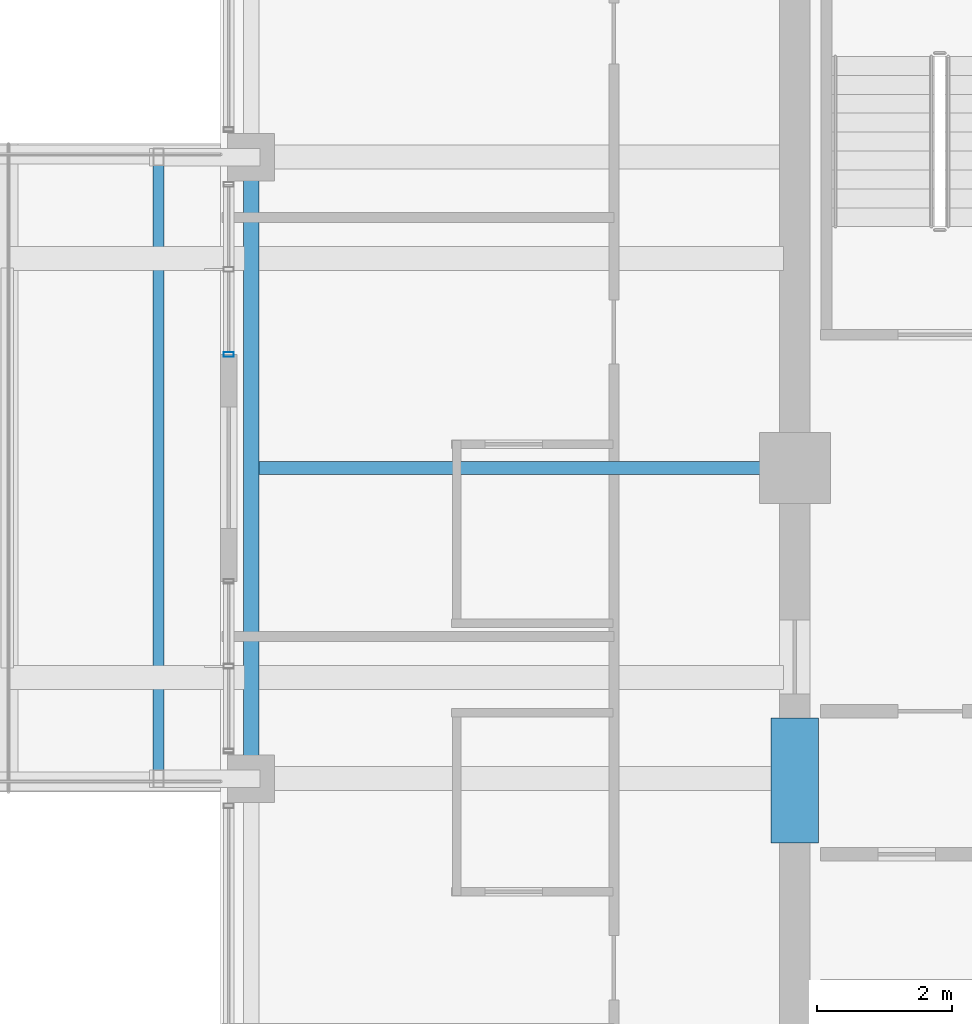
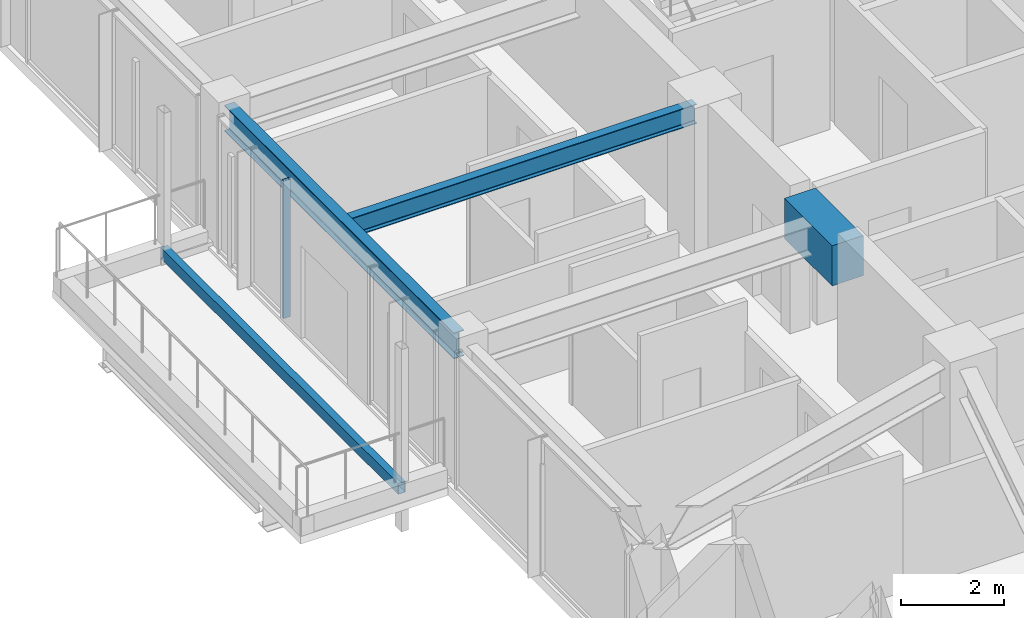
# One storey, part 8 of 34: 3 beams, 2 members, 1 element without a shape of its own.
"""IFC4 building model written with IfcOpenShell, lengths in metres."""

import ifcopenshell
import ifcopenshell.guid

model = None  # the IFC model being written
_history = None  # IfcOwnerHistory: only IFC2X3 demands one
_inside = {}  # id of a spatial element -> (the spatial element, [elements in it])
_under = {}  # id of a project, library or spatial element -> (it, [spatial elements below it])
_declared = {}  # id of a project -> (the project, [libraries it declares])
_typed = {}  # id of a type object -> (the type object, [elements of that type])
_made_of = {}  # id of a material, layer set ... -> (it, [elements and type objects made of it])


def new_model(schema):
    """Start an empty IFC model of exactly this schema.

    Asked for "IFC4X3", IfcOpenShell would pick the latest addendum, in which some entities
    have other attributes; the version numbers below select the first issue.
    IFC2X3 requires an IfcOwnerHistory on every rooted entity: one is made here for all.
    """
    global model, _history
    if schema == "IFC4X3":
        model = ifcopenshell.file(schema_version=(4, 3, 0, 0))
    else:
        model = ifcopenshell.file(schema=schema)
    _inside.clear()
    _under.clear()
    _declared.clear()
    _typed.clear()
    _made_of.clear()
    _history = None
    if model.schema == "IFC2X3":
        org = make("IfcOrganization", Name="unknown")
        user = make(
            "IfcPersonAndOrganization",
            ThePerson=make("IfcPerson", FamilyName="unknown"),
            TheOrganization=org,
        )
        app = make(
            "IfcApplication",
            ApplicationDeveloper=org,
            Version="unknown",
            ApplicationFullName="unknown",
            ApplicationIdentifier="unknown",
        )
        _history = make(
            "IfcOwnerHistory",
            OwningUser=user,
            OwningApplication=app,
            ChangeAction="ADDED",
            CreationDate=0,
        )
    return model


def make(cls, **values):
    """One entity of the class cls with the attributes given. An attribute that is None is left unset."""
    return model.create_entity(
        cls, **{name: value for name, value in values.items() if value is not None}
    )


def rooted(cls, **values):
    """An entity with a GlobalId (a new one), such as an element, a storey or a relation."""
    return make(cls, GlobalId=ifcopenshell.guid.new(), OwnerHistory=_history, **values)


def si_unit(unit_type, name, prefix=None):
    """IfcSIUnit, for example si_unit("LENGTHUNIT", "METRE", prefix="MILLI")."""
    return make("IfcSIUnit", UnitType=unit_type, Prefix=prefix, Name=name)


def assignment(units):
    """IfcUnitAssignment: the units of a project."""
    return None if units is None else make("IfcUnitAssignment", Units=units)


def point(xyz):
    """IfcCartesianPoint."""
    return None if xyz is None else make("IfcCartesianPoint", Coordinates=xyz)


def direction(xyz):
    """IfcDirection."""
    return None if xyz is None else make("IfcDirection", DirectionRatios=xyz)


def frame(location, z_axis=None, x_axis=None):
    """IfcAxis2Placement3D, a coordinate frame: its origin and axes. An axis left out is left unset."""
    return make(
        "IfcAxis2Placement3D",
        Location=point(location),
        Axis=direction(z_axis),
        RefDirection=direction(x_axis),
    )


def frame_2d(location, x_axis=None):
    """IfcAxis2Placement2D, a coordinate frame in the plane: its origin and x axis."""
    return make(
        "IfcAxis2Placement2D", Location=point(location), RefDirection=direction(x_axis)
    )


def origin():
    """The frame at (0, 0, 0) with its axes left unset."""
    return frame((0.0, 0.0, 0.0))


def origin_2d():
    """The frame at (0, 0) in the plane with its x axis left unset."""
    return frame_2d((0.0, 0.0))


def place(relative_to, where):
    """IfcLocalPlacement: puts the frame where relative to a parent placement (None: the world)."""
    return make(
        "IfcLocalPlacement", PlacementRelTo=relative_to, RelativePlacement=where
    )


def context(
    kind, dimensions, precision=None, world=None, true_north=None, identifier=None
):
    """IfcGeometricRepresentationContext, for example the 3D "Model" context."""
    return make(
        "IfcGeometricRepresentationContext",
        ContextIdentifier=identifier,
        ContextType=kind,
        CoordinateSpaceDimension=dimensions,
        Precision=precision,
        WorldCoordinateSystem=world,
        TrueNorth=true_north,
    )


def subcontext(parent, identifier, kind, view, scale=None):
    """IfcGeometricRepresentationSubContext, for example "Body" below "Model"."""
    return make(
        "IfcGeometricRepresentationSubContext",
        ContextIdentifier=identifier,
        ContextType=kind,
        ParentContext=parent,
        TargetScale=scale,
        TargetView=view,
    )


def project(units=None, contexts=None):
    """IfcProject with its units and contexts."""
    return rooted(
        "IfcProject",
        Name="project",
        RepresentationContexts=contexts,
        UnitsInContext=assignment(units),
    )


def spatial(cls, under=None, at=None, **own):
    """A site, building, storey or space (cls), placed at a placement, below another one or the project."""
    s = rooted(cls, ObjectPlacement=at, **own)
    if under is not None:
        _under.setdefault(under.id(), (under, []))[1].append(s)
    return s


def profile(cls, at=None, kind="AREA", **sizes):
    """A parametric profile (cls). Its sizes go by their IFC names, for example OverallWidth=200.0."""
    return make(cls, ProfileType=kind, Position=at, **sizes)


def rectangle(**sizes):
    """IfcRectangleProfileDef."""
    return profile("IfcRectangleProfileDef", **sizes)


def hollow_rectangle(**sizes):
    """IfcRectangleHollowProfileDef."""
    return profile("IfcRectangleHollowProfileDef", **sizes)


def i_section(**sizes):
    """IfcIShapeProfileDef."""
    return profile("IfcIShapeProfileDef", **sizes)


def extrude(swept, where, along, depth):
    """IfcExtrudedAreaSolid: the profile swept, set in the frame where, extruded along a direction by depth."""
    return make(
        "IfcExtrudedAreaSolid",
        SweptArea=swept,
        Position=where,
        ExtrudedDirection=direction(along),
        Depth=depth,
    )


def shape(context_of_items, identifier, shape_type, items):
    """IfcShapeRepresentation: the items that make up one representation, for example the "Body"."""
    return make(
        "IfcShapeRepresentation",
        ContextOfItems=context_of_items,
        RepresentationIdentifier=identifier,
        RepresentationType=shape_type,
        Items=items,
    )


def material(Name=None, Category=None):
    """IfcMaterial."""
    return make("IfcMaterial", Name=Name, Category=Category)


def material_profile(
    of_material, cross_section, Name=None, Category=None, Priority=None
):
    """IfcMaterialProfile: a cross section and its material."""
    return make(
        "IfcMaterialProfile",
        Name=Name,
        Material=of_material,
        Profile=cross_section,
        Priority=Priority,
        Category=Category,
    )


def profile_set(profiles, Name=None, composite=None):
    """IfcMaterialProfileSet."""
    return make(
        "IfcMaterialProfileSet",
        Name=Name,
        MaterialProfiles=profiles,
        CompositeProfile=composite,
    )


def made_of(thing, what):
    """Note that an element or type object is made of a material, layer set ...; save() writes the relation."""
    if what is not None:
        _made_of.setdefault(what.id(), (what, []))[1].append(thing)
    return thing


def type_object(cls, material=None, **own):
    """A type object (cls), such as IfcWallType, which elements share."""
    return made_of(rooted(cls, **own), material)


def element(
    cls,
    number,
    at=None,
    inside=None,
    cuts=None,
    type_object=None,
    material=None,
    context=None,
    identifier="Body",
    shape_type=None,
    held_by="IfcProductDefinitionShape",
    body=None,
    shapes=None,
    **own,
):
    """One element of the class cls, such as IfcWall. Its Tag is "e" and its number.

    at: its placement. inside: the storey or other place that contains it. cuts: it is an
    opening in that element (IfcRelVoidsElement). A single representation is given by context,
    identifier, shape_type and body (its items); several are given by shapes. held_by: the class
    of the entity that holds the representations. save() writes the other relations.
    """
    e = rooted(cls, Tag="e%d" % number, ObjectPlacement=at, **own)
    if body is not None:
        shapes = [shape(context, identifier, shape_type, body)]
    if shapes is not None:
        e.Representation = make(held_by, Representations=shapes)
    if inside is not None:
        _inside.setdefault(inside.id(), (inside, []))[1].append(e)
    if cuts is not None:
        rooted(
            "IfcRelVoidsElement", RelatingBuildingElement=cuts, RelatedOpeningElement=e
        )
    if type_object is not None:
        _typed.setdefault(type_object.id(), (type_object, []))[1].append(e)
    return made_of(e, material)


def aggregate(whole, parts):
    """IfcRelAggregates: a whole, such as a stair, and the parts it consists of."""
    return rooted("IfcRelAggregates", RelatingObject=whole, RelatedObjects=parts)


def save(model, path):
    """Write the relations noted so far, then the file.

    IfcRelAggregates (storeys below a building ...), IfcRelContainedInSpatialStructure (elements
    in a storey), IfcRelDefinesByType, IfcRelAssociatesMaterial and IfcRelDeclares: one each for
    every whole, place, type object, material and project.
    """
    for whole, parts in _under.values():
        aggregate(whole, parts)
    for where, things in _inside.values():
        rooted(
            "IfcRelContainedInSpatialStructure",
            RelatedElements=things,
            RelatingStructure=where,
        )
    for kind, things in _typed.values():
        rooted("IfcRelDefinesByType", RelatedObjects=things, RelatingType=kind)
    for what, things in _made_of.values():
        rooted("IfcRelAssociatesMaterial", RelatedObjects=things, RelatingMaterial=what)
    for by, libraries in _declared.values():
        rooted("IfcRelDeclares", RelatingContext=by, RelatedDefinitions=libraries)
    model.write(path)


model = new_model("IFC4")

# Units and contexts
model_context = context("Model", 3, precision=1e-05, world=origin(), true_north=direction((0.0, 1.0)))
body_context = subcontext(model_context, "Body", "Model", "MODEL_VIEW")
ifc_project = project(units=[si_unit("LENGTHUNIT", "METRE"), si_unit("AREAUNIT", "SQUARE_METRE"), si_unit("VOLUMEUNIT", "CUBIC_METRE"), si_unit("PLANEANGLEUNIT", "RADIAN"), si_unit("MASSUNIT", "GRAM", prefix="KILO")], contexts=[model_context])

# Site, building, storey
site_placement = place(None, origin())
site = spatial("IfcSite", under=ifc_project, at=site_placement, CompositionType="ELEMENT")
building_placement = place(site_placement, origin())
building = spatial("IfcBuilding", under=site, at=building_placement, Name="Kolvaren Belvedere", CompositionType="ELEMENT")
storey_placement = place(building_placement, frame((0.0, 0.0, 240.89990234375)))
storey = spatial("IfcBuildingStorey", under=building, at=storey_placement, Name="L70", CompositionType="ELEMENT", Elevation=240.89990234375)

# Beams
ifc_material_1 = material(Name="Structural steel ASTM A992 Grade 50", Category="steel")
ifc_material_profile_1 = material_profile(ifc_material_1, i_section(OverallWidth=0.19091796875, OverallDepth=0.4599609375, WebThickness=0.010009765625, FlangeThickness=0.01611328125, FilletRadius=0.014892578125, at=origin_2d()), Name="W18X55")
ifc_profile_set_1 = profile_set([ifc_material_profile_1], Name="Structural steel ASTM A992 Grade 50")
beam_type_1 = type_object("IfcBeamType", Name="BM-JOIST-W18X55", PredefinedType="BEAM", material=ifc_profile_set_1)
beam_1_placement = place(storey_placement, frame((-10.125, 0.0, 3.02001953125), z_axis=(-1.0, 0.0, 0.0), x_axis=(0.0, -1.0, 0.0)))
element("IfcBeam", 1, at=beam_1_placement, inside=storey, type_object=beam_type_1, Name="L70 West Centre Floor Beam", PredefinedType="BEAM", context=body_context, shape_type="SweptSolid", body=[
    extrude(i_section(OverallWidth=0.19091796875, OverallDepth=0.4599609375, WebThickness=0.010009765625, FlangeThickness=0.01611328125, FilletRadius=0.014892578125, at=origin_2d()), origin(), (0.0, 0.0, 1.0), 7.71044921875),
])
ifc_material_2 = material(Name="Concrete C60/75", Category="concrete")
ifc_material_profile_2 = material_profile(ifc_material_2, rectangle(XDim=0.699951171875, YDim=0.949951171875, at=origin_2d()), Name="RC 700X950")
ifc_profile_set_2 = profile_set([ifc_material_profile_2], Name="Concrete C60/75")
beam_type_2 = type_object("IfcBeamType", Name="BM-LINT-950", PredefinedType="LINTEL", material=ifc_profile_set_2)
beam_2_placement = place(storey_placement, frame((-9.89990234375, -5.550048828125, 2.775146484375), z_axis=(0.0, 1.0, 0.0), x_axis=(-1.0, 0.0, 0.0)))
element("IfcBeam", 2, at=beam_2_placement, inside=storey, type_object=beam_type_2, Name="L70 West Core Coupling Lintel", PredefinedType="LINTEL", context=body_context, shape_type="SweptSolid", body=[
    extrude(rectangle(XDim=0.699951171875, YDim=0.949951171875, at=origin_2d()), origin(), (0.0, 0.0, 1.0), 1.85009765625),
])
ifc_material_3 = material(Name="Structural steel ASTM A992 Grade 50", Category="steel")
ifc_material_profile_3 = material_profile(ifc_material_3, i_section(OverallWidth=0.22900390625, OverallDepth=0.612060546875, WebThickness=0.011962890625, FlangeThickness=0.01953125, FilletRadius=0.01806640625, at=origin_2d()), Name="W24X84")
ifc_profile_set_3 = profile_set([ifc_material_profile_3], Name="Structural steel ASTM A992 Grade 50")
beam_type_3 = type_object("IfcBeamType", Name="BM-SPAN-W24X84", PredefinedType="SPANDREL", material=ifc_profile_set_3)
beam_3_placement = place(storey_placement, frame((-17.949951171875, 4.4423828125, 2.944091796875), z_axis=(0.0, -1.0, 0.0), x_axis=(1.0, 0.0, 0.0)))
element("IfcBeam", 3, at=beam_3_placement, inside=storey, type_object=beam_type_3, Name="L70 Perimeter Spandrel W3-W2", PredefinedType="SPANDREL", context=body_context, shape_type="SweptSolid", body=[
    extrude(i_section(OverallWidth=0.22900390625, OverallDepth=0.612060546875, WebThickness=0.011962890625, FlangeThickness=0.01953125, FilletRadius=0.01806640625, at=origin_2d()), origin(), (0.0, 0.0, 1.0), 8.884765625),
])

# Curtain wall, member
ifc_material_4 = material(Name="Anodised pale-metal aluminium AA 6063-T6", Category="aluminium")
curtain_wall_type = type_object("IfcCurtainWallType", Name="CW-Z5-HIGH", PredefinedType="NOTDEFINED", material=ifc_material_4)
curtain_wall_placement = place(storey_placement, origin())
curtain_wall = element("IfcCurtainWall", 4, at=curtain_wall_placement, inside=storey, type_object=curtain_wall_type, Name="L70 Unitised Curtain Wall FCW-L70-W2-B1", PredefinedType="NOTDEFINED")
ifc_material_5 = material(Name="Anodised pale-metal aluminium AA 6063-T6", Category="aluminium")
ifc_material_profile_4 = material_profile(ifc_material_5, hollow_rectangle(XDim=0.070068359375, YDim=0.14990234375, WallThickness=0.004150390625, at=origin_2d()), Name="ALU-MUL-150X70")
ifc_profile_set_4 = profile_set([ifc_material_profile_4], Name="Anodised pale-metal aluminium AA 6063-T6")
member_type_1 = type_object("IfcMemberType", Name="CW-MUL-150", PredefinedType="MULLION", material=ifc_profile_set_4)
member_1_placement = place(storey_placement, frame((-18.280029296875, 1.679931640625, 0.0), z_axis=(0.0, 0.0, 1.0), x_axis=(0.0, 1.0, 0.0)))
member_1 = element("IfcMember", 5, at=member_1_placement, type_object=member_type_1, Name="FCW-L70-W2-B1 Unitised Mullion 1", PredefinedType="MULLION", context=body_context, shape_type="SweptSolid", body=[
    extrude(hollow_rectangle(XDim=0.070068359375, YDim=0.14990234375, WallThickness=0.004150390625, at=origin_2d()), origin(), (0.0, 0.0, 1.0), 3.25),
])
aggregate(curtain_wall, [member_1])

# Member
ifc_material_6 = material(Name="Anodised pale-metal aluminium AA 6063-T6", Category="aluminium")
ifc_material_profile_5 = material_profile(ifc_material_6, hollow_rectangle(XDim=0.159912109375, YDim=0.260009765625, WallThickness=0.006591796875, at=origin_2d()), Name="ALU-PF-260X160")
ifc_profile_set_5 = profile_set([ifc_material_profile_5], Name="Anodised pale-metal aluminium AA 6063-T6")
member_type_2 = type_object("IfcMemberType", Name="PF-FRAME-260", PredefinedType="USERDEFINED", material=ifc_profile_set_5)
member_2_placement = place(storey_placement, frame((-19.320068359375, -4.60009765625, 0.130126953125), z_axis=(0.0, 1.0, 0.0), x_axis=(-1.0, 0.0, 0.0)))
element("IfcMember", 6, at=member_2_placement, inside=storey, type_object=member_type_2, Name="L70 Outboard Picture-Frame Sill W", ObjectType="PICTURE FRAME FIN", PredefinedType="USERDEFINED", context=body_context, shape_type="SweptSolid", body=[
    extrude(hollow_rectangle(XDim=0.159912109375, YDim=0.260009765625, WallThickness=0.006591796875, at=origin_2d()), origin(), (0.0, 0.0, 1.0), 9.2001953125),
])

save(model, "model.ifc")
